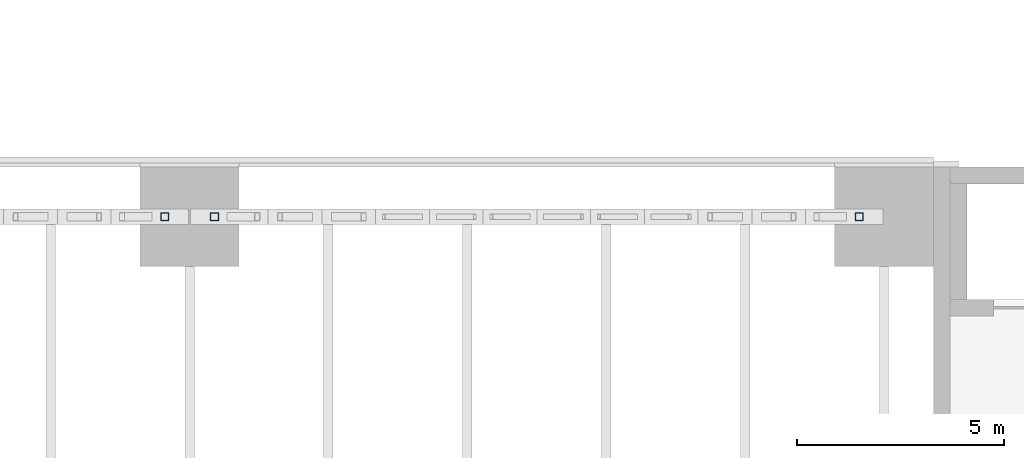
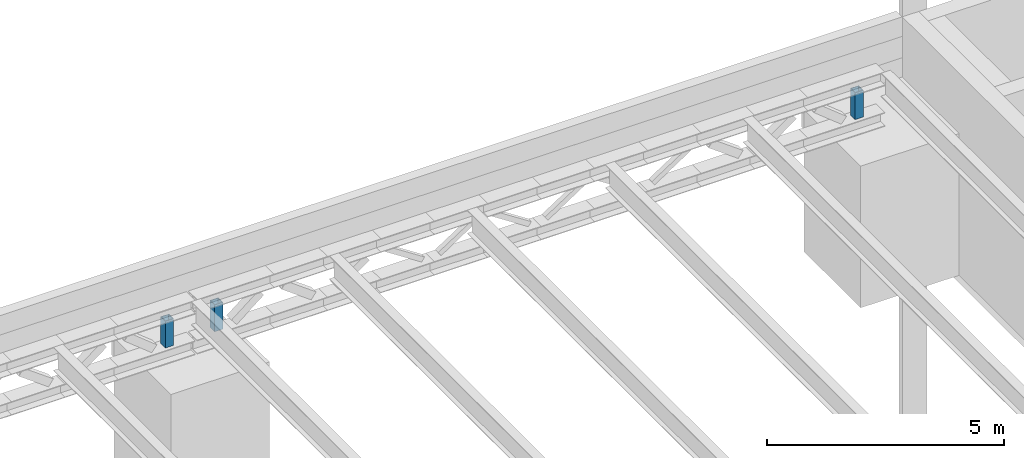
# One storey, part 48 of 93: 3 members.
"""IFC4 building model written with IfcOpenShell, lengths in metres."""

from ifc_helpers import new_model, si_unit, direction, frame, origin, origin_2d, place, context, subcontext, project, spatial, hollow_rectangle, extrude, material, material_profile, profile_set, type_object, element, save


model = new_model("IFC4")

# Units and contexts
model_context = context("Model", 3, precision=1e-05, world=origin(), true_north=direction((0.0, 1.0)))
body_context = subcontext(model_context, "Body", "Model", "MODEL_VIEW")
ifc_project = project(units=[si_unit("LENGTHUNIT", "METRE"), si_unit("AREAUNIT", "SQUARE_METRE"), si_unit("VOLUMEUNIT", "CUBIC_METRE"), si_unit("PLANEANGLEUNIT", "RADIAN"), si_unit("MASSUNIT", "GRAM", prefix="KILO")], contexts=[model_context])

# Site, building, storey
site_placement = place(None, origin())
site = spatial("IfcSite", under=ifc_project, at=site_placement, CompositionType="ELEMENT")
building_placement = place(site_placement, origin())
building = spatial("IfcBuilding", under=site, at=building_placement, Name="Verrick Yard Athletic Hall", CompositionType="ELEMENT")
storey_placement = place(building_placement, frame((0.0, 0.0, 8.800048828125)))
storey = spatial("IfcBuildingStorey", under=building, at=storey_placement, Name="L02", CompositionType="ELEMENT", Elevation=8.800048828125)

# Members
ifc_material = material(Name="Structural steel HSS Class C 350W (CSA G40.20/G40.21)", Category="steel")
ifc_material_profile = material_profile(ifc_material, hollow_rectangle(XDim=0.203125, YDim=0.203125, WallThickness=0.0126953125, at=origin_2d()), Name="HSS203x203x13")
ifc_profile_set = profile_set([ifc_material_profile], Name="Structural steel HSS Class C 350W (CSA G40.20/G40.21)")
member_type = type_object("IfcMemberType", Name="STR Edge truss end post HSS203x203x13", PredefinedType="POST", material=ifc_profile_set)
for number, where, z_axis, x_axis, name in (
    (1, (140.199951171875, 52.800048828125, 4.005859375), (0.0, 0.0, 1.0), (1.0, 0.0, 0.0), "STR-TP-GC6-E"),
    (2, (141.39990234375, 52.800048828125, 4.005859375), (0.0, 0.0, 1.0), (1.0, 0.0, 0.0), "STR-TP-GC7-W"),
    (3, (157.0, 52.800048828125, 4.005859375), (0.0, 0.0, 1.0), (1.0, 0.0, 0.0), "STR-TP-GC7-E"),
):
    element("IfcMember", number, at=place(storey_placement, frame(where, z_axis=z_axis, x_axis=x_axis)), inside=storey, type_object=member_type, Name=name, PredefinedType="POST", context=body_context, shape_type="SweptSolid", body=[
        extrude(hollow_rectangle(XDim=0.203125, YDim=0.203125, WallThickness=0.0126953125, at=origin_2d()), origin(), (0.0, 0.0, 1.0), 0.68798828125),
    ])

save(model, "model.ifc")
